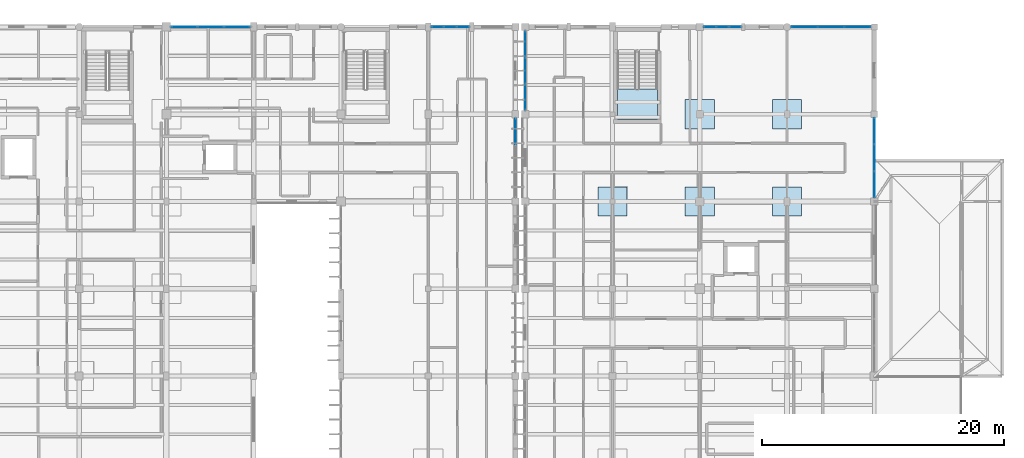
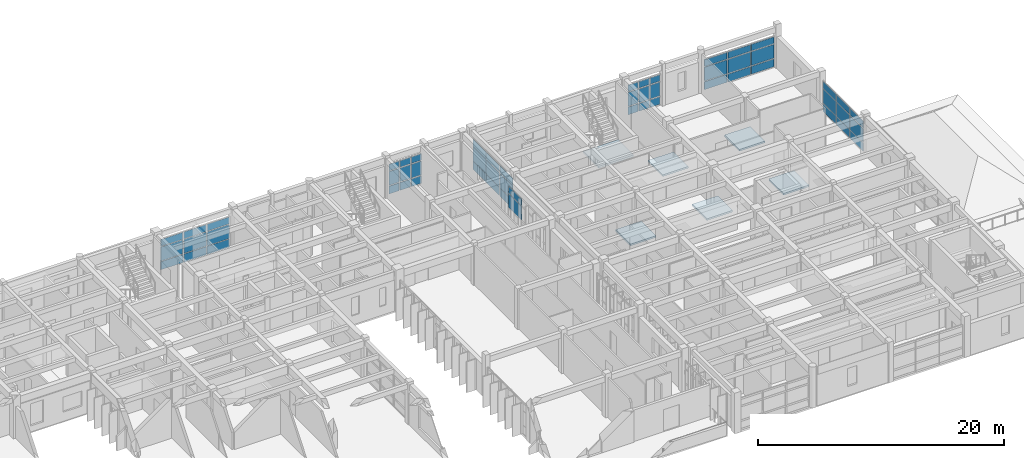
# One storey, part 30 of 55: 56 plates, 6 slabs, 8 elements without a shape of their own.
"""IFC4 building model written with IfcOpenShell, lengths in metres."""

from ifc_helpers import new_model, si_unit, direction, frame, origin, origin_2d, place, context, subcontext, project, spatial, polyline, rectangle, outline, extrude, material, layer, layer_set, type_object, element, aggregate, save


model = new_model("IFC4")

# Units and contexts
model_context = context("Model", 3, precision=1e-05, world=origin(), true_north=direction((0.0, 1.0)))
body_context = subcontext(model_context, "Body", "Model", "MODEL_VIEW")
ifc_project = project(units=[si_unit("LENGTHUNIT", "METRE"), si_unit("AREAUNIT", "SQUARE_METRE"), si_unit("VOLUMEUNIT", "CUBIC_METRE"), si_unit("PLANEANGLEUNIT", "RADIAN"), si_unit("MASSUNIT", "GRAM", prefix="KILO")], contexts=[model_context])

# Site, building, storey
site_placement = place(None, origin())
site = spatial("IfcSite", under=ifc_project, at=site_placement, CompositionType="ELEMENT")
building_placement = place(site_placement, origin())
building = spatial("IfcBuilding", under=site, at=building_placement, Name="Steenspoor Specialist Clinic", CompositionType="ELEMENT")
storey_placement = place(building_placement, frame((0.0, 0.0, 13.199951171875)))
storey = spatial("IfcBuildingStorey", under=building, at=storey_placement, Name="L03", CompositionType="ELEMENT", Elevation=13.199951171875)

# Curtain wall, plates
ifc_material_1 = material(Name="Thermally broken aluminium and low-emissivity glass", Category="aluminium")
curtain_wall_type_1 = type_object("IfcCurtainWallType", Name="CW-TYP-480X355", PredefinedType="USERDEFINED", material=ifc_material_1)
curtain_wall_1_placement = place(storey_placement, origin())
curtain_wall_1 = element("IfcCurtainWall", 1, at=curtain_wall_1_placement, inside=storey, type_object=curtain_wall_type_1, Name="Unitised Curtain Wall CW-V4-L03-108", ObjectType="UNITISED GLAZING", PredefinedType="USERDEFINED")
ifc_material_2 = material(Name="Double low-emissivity insulated glass", Category="glass")
ifc_layer_1 = layer(ifc_material_2, 0.035888671875)
ifc_layer_set_1 = layer_set([ifc_layer_1], Name="Double low-emissivity insulated glass")
plate_type_1 = type_object("IfcPlateType", Name="CW-PAN-GL36", PredefinedType="CURTAIN_PANEL", material=ifc_layer_set_1)
plate_1_placement = place(storey_placement, frame((89.8701171875, 108.35009765625, 0.06005859375), z_axis=(0.0, 0.0, 1.0), x_axis=(1.0, 0.0, 0.0)))
plate_1 = element("IfcPlate", 2, at=plate_1_placement, type_object=plate_type_1, Name="CW-12 panel 1.1", PredefinedType="CURTAIN_PANEL", context=body_context, shape_type="SweptSolid", body=[
    extrude(rectangle(XDim=2.080078125, YDim=0.035888671875, at=origin_2d()), origin(), (0.0, 0.0, 1.0), 0.81005859375),
])
plate_2_placement = place(storey_placement, frame((89.8701171875, 108.35009765625, 0.93017578125), z_axis=(0.0, 0.0, 1.0), x_axis=(1.0, 0.0, 0.0)))
plate_2 = element("IfcPlate", 3, at=plate_2_placement, type_object=plate_type_1, Name="CW-12 panel 1.2", PredefinedType="CURTAIN_PANEL", context=body_context, shape_type="SweptSolid", body=[
    extrude(rectangle(XDim=2.080078125, YDim=0.035888671875, at=origin_2d()), origin(), (0.0, 0.0, 1.0), 1.389892578125),
])
plate_3_placement = place(storey_placement, frame((89.8701171875, 108.35009765625, 2.380126953125), z_axis=(0.0, 0.0, 1.0), x_axis=(1.0, 0.0, 0.0)))
plate_3 = element("IfcPlate", 4, at=plate_3_placement, type_object=plate_type_1, Name="CW-12 panel 1.3", PredefinedType="CURTAIN_PANEL", context=body_context, shape_type="SweptSolid", body=[
    extrude(rectangle(XDim=2.080078125, YDim=0.035888671875, at=origin_2d()), origin(), (0.0, 0.0, 1.0), 0.68994140625),
])
plate_4_placement = place(storey_placement, frame((92.050048828125, 108.35009765625, 0.06005859375), z_axis=(0.0, 0.0, 1.0), x_axis=(1.0, 0.0, 0.0)))
plate_4 = element("IfcPlate", 5, at=plate_4_placement, type_object=plate_type_1, Name="CW-12 panel 2.1", PredefinedType="CURTAIN_PANEL", context=body_context, shape_type="SweptSolid", body=[
    extrude(rectangle(XDim=2.1201171875, YDim=0.035888671875, at=origin_2d()), origin(), (0.0, 0.0, 1.0), 0.81005859375),
])
plate_5_placement = place(storey_placement, frame((92.050048828125, 108.35009765625, 0.93017578125), z_axis=(0.0, 0.0, 1.0), x_axis=(1.0, 0.0, 0.0)))
plate_5 = element("IfcPlate", 6, at=plate_5_placement, type_object=plate_type_1, Name="CW-12 panel 2.2", PredefinedType="CURTAIN_PANEL", context=body_context, shape_type="SweptSolid", body=[
    extrude(rectangle(XDim=2.1201171875, YDim=0.035888671875, at=origin_2d()), origin(), (0.0, 0.0, 1.0), 1.389892578125),
])
plate_6_placement = place(storey_placement, frame((92.050048828125, 108.35009765625, 2.380126953125), z_axis=(0.0, 0.0, 1.0), x_axis=(1.0, 0.0, 0.0)))
plate_6 = element("IfcPlate", 7, at=plate_6_placement, type_object=plate_type_1, Name="CW-12 panel 2.3", PredefinedType="CURTAIN_PANEL", context=body_context, shape_type="SweptSolid", body=[
    extrude(rectangle(XDim=2.1201171875, YDim=0.035888671875, at=origin_2d()), origin(), (0.0, 0.0, 1.0), 0.68994140625),
])
plate_7_placement = place(storey_placement, frame((94.22998046875, 108.35009765625, 0.06005859375), z_axis=(0.0, 0.0, 1.0), x_axis=(1.0, 0.0, 0.0)))
plate_7 = element("IfcPlate", 8, at=plate_7_placement, type_object=plate_type_1, Name="CW-12 panel 3.1", PredefinedType="CURTAIN_PANEL", context=body_context, shape_type="SweptSolid", body=[
    extrude(rectangle(XDim=2.080078125, YDim=0.035888671875, at=origin_2d()), origin(), (0.0, 0.0, 1.0), 0.81005859375),
])
plate_8_placement = place(storey_placement, frame((94.22998046875, 108.35009765625, 0.93017578125), z_axis=(0.0, 0.0, 1.0), x_axis=(1.0, 0.0, 0.0)))
plate_8 = element("IfcPlate", 9, at=plate_8_placement, type_object=plate_type_1, Name="CW-12 panel 3.2", PredefinedType="CURTAIN_PANEL", context=body_context, shape_type="SweptSolid", body=[
    extrude(rectangle(XDim=2.080078125, YDim=0.035888671875, at=origin_2d()), origin(), (0.0, 0.0, 1.0), 1.389892578125),
])
plate_9_placement = place(storey_placement, frame((94.22998046875, 108.35009765625, 2.380126953125), z_axis=(0.0, 0.0, 1.0), x_axis=(1.0, 0.0, 0.0)))
plate_9 = element("IfcPlate", 10, at=plate_9_placement, type_object=plate_type_1, Name="CW-12 panel 3.3", PredefinedType="CURTAIN_PANEL", context=body_context, shape_type="SweptSolid", body=[
    extrude(rectangle(XDim=2.080078125, YDim=0.035888671875, at=origin_2d()), origin(), (0.0, 0.0, 1.0), 0.68994140625),
])
aggregate(curtain_wall_1, [plate_1, plate_2, plate_3, plate_4, plate_5, plate_6, plate_7, plate_8, plate_9])

curtain_wall_type_2 = type_object("IfcCurtainWallType", Name="CW-L00-480X415", PredefinedType="USERDEFINED", material=ifc_material_1)
curtain_wall_2_placement = place(storey_placement, origin())
curtain_wall_2 = element("IfcCurtainWall", 11, at=curtain_wall_2_placement, inside=storey, type_object=curtain_wall_type_2, Name="Unitised Curtain Wall CW-V6-L03-198", ObjectType="UNITISED GLAZING", PredefinedType="USERDEFINED")
plate_10_placement = place(storey_placement, frame((118.0, 102.570068359375, 0.06005859375), z_axis=(0.0, 0.0, 1.0), x_axis=(0.0, 1.0, 0.0)))
plate_10 = element("IfcPlate", 12, at=plate_10_placement, type_object=plate_type_1, Name="CW-06 panel 1.1", PredefinedType="CURTAIN_PANEL", context=body_context, shape_type="SweptSolid", body=[
    extrude(rectangle(XDim=2.080078125, YDim=0.035888671875, at=origin_2d()), origin(), (0.0, 0.0, 1.0), 0.81005859375),
])
plate_11_placement = place(storey_placement, frame((118.0, 102.570068359375, 0.93017578125), z_axis=(0.0, 0.0, 1.0), x_axis=(0.0, 1.0, 0.0)))
plate_11 = element("IfcPlate", 13, at=plate_11_placement, type_object=plate_type_1, Name="CW-06 panel 1.2", PredefinedType="CURTAIN_PANEL", context=body_context, shape_type="SweptSolid", body=[
    extrude(rectangle(XDim=2.080078125, YDim=0.035888671875, at=origin_2d()), origin(), (0.0, 0.0, 1.0), 1.389892578125),
])
plate_12_placement = place(storey_placement, frame((118.0, 102.570068359375, 2.380126953125), z_axis=(0.0, 0.0, 1.0), x_axis=(0.0, 1.0, 0.0)))
plate_12 = element("IfcPlate", 14, at=plate_12_placement, type_object=plate_type_1, Name="CW-06 panel 1.3", PredefinedType="CURTAIN_PANEL", context=body_context, shape_type="SweptSolid", body=[
    extrude(rectangle(XDim=2.080078125, YDim=0.035888671875, at=origin_2d()), origin(), (0.0, 0.0, 1.0), 0.68994140625),
])
plate_13_placement = place(storey_placement, frame((118.0, 104.75, 0.06005859375), z_axis=(0.0, 0.0, 1.0), x_axis=(0.0, 1.0, 0.0)))
plate_13 = element("IfcPlate", 15, at=plate_13_placement, type_object=plate_type_1, Name="CW-06 panel 2.1", PredefinedType="CURTAIN_PANEL", context=body_context, shape_type="SweptSolid", body=[
    extrude(rectangle(XDim=2.1201171875, YDim=0.035888671875, at=origin_2d()), origin(), (0.0, 0.0, 1.0), 0.81005859375),
])
plate_14_placement = place(storey_placement, frame((118.0, 104.75, 0.93017578125), z_axis=(0.0, 0.0, 1.0), x_axis=(0.0, 1.0, 0.0)))
plate_14 = element("IfcPlate", 16, at=plate_14_placement, type_object=plate_type_1, Name="CW-06 panel 2.2", PredefinedType="CURTAIN_PANEL", context=body_context, shape_type="SweptSolid", body=[
    extrude(rectangle(XDim=2.1201171875, YDim=0.035888671875, at=origin_2d()), origin(), (0.0, 0.0, 1.0), 1.389892578125),
])
plate_15_placement = place(storey_placement, frame((118.0, 104.75, 2.380126953125), z_axis=(0.0, 0.0, 1.0), x_axis=(0.0, 1.0, 0.0)))
plate_15 = element("IfcPlate", 17, at=plate_15_placement, type_object=plate_type_1, Name="CW-06 panel 2.3", PredefinedType="CURTAIN_PANEL", context=body_context, shape_type="SweptSolid", body=[
    extrude(rectangle(XDim=2.1201171875, YDim=0.035888671875, at=origin_2d()), origin(), (0.0, 0.0, 1.0), 0.68994140625),
])
plate_16_placement = place(storey_placement, frame((118.0, 106.929931640625, 0.06005859375), z_axis=(0.0, 0.0, 1.0), x_axis=(0.0, 1.0, 0.0)))
plate_16 = element("IfcPlate", 18, at=plate_16_placement, type_object=plate_type_1, Name="CW-06 panel 3.1", PredefinedType="CURTAIN_PANEL", context=body_context, shape_type="SweptSolid", body=[
    extrude(rectangle(XDim=2.080078125, YDim=0.035888671875, at=origin_2d()), origin(), (0.0, 0.0, 1.0), 0.81005859375),
])
plate_17_placement = place(storey_placement, frame((118.0, 106.929931640625, 0.93017578125), z_axis=(0.0, 0.0, 1.0), x_axis=(0.0, 1.0, 0.0)))
plate_17 = element("IfcPlate", 19, at=plate_17_placement, type_object=plate_type_1, Name="CW-06 panel 3.2", PredefinedType="CURTAIN_PANEL", context=body_context, shape_type="SweptSolid", body=[
    extrude(rectangle(XDim=2.080078125, YDim=0.035888671875, at=origin_2d()), origin(), (0.0, 0.0, 1.0), 1.389892578125),
])
plate_18_placement = place(storey_placement, frame((118.0, 106.929931640625, 2.380126953125), z_axis=(0.0, 0.0, 1.0), x_axis=(0.0, 1.0, 0.0)))
plate_18 = element("IfcPlate", 20, at=plate_18_placement, type_object=plate_type_1, Name="CW-06 panel 3.3", PredefinedType="CURTAIN_PANEL", context=body_context, shape_type="SweptSolid", body=[
    extrude(rectangle(XDim=2.080078125, YDim=0.035888671875, at=origin_2d()), origin(), (0.0, 0.0, 1.0), 0.68994140625),
])
aggregate(curtain_wall_2, [plate_10, plate_11, plate_12, plate_13, plate_14, plate_15, plate_16, plate_17, plate_18])

curtain_wall_type_3 = type_object("IfcCurtainWallType", Name="CW-TYP-660X355", PredefinedType="USERDEFINED", material=ifc_material_1)
curtain_wall_3_placement = place(storey_placement, origin())
curtain_wall_3 = element("IfcCurtainWall", 21, at=curtain_wall_3_placement, inside=storey, type_object=curtain_wall_type_3, Name="Unitised Curtain Wall CW-V6-L03-201", ObjectType="UNITISED GLAZING", PredefinedType="USERDEFINED")
plate_19_placement = place(storey_placement, frame((146.800048828125, 99.754638671875, 0.070068359375), z_axis=(0.0, 0.0, 1.0), x_axis=(0.0, -1.0, 0.0)))
plate_19 = element("IfcPlate", 22, at=plate_19_placement, type_object=plate_type_1, Name="CW-09 panel 1.1", PredefinedType="CURTAIN_PANEL", context=body_context, shape_type="SweptSolid", body=[
    extrude(rectangle(XDim=2.11083984375, YDim=0.035888671875, at=origin_2d()), origin(), (0.0, 0.0, 1.0), 0.794921875),
])
plate_20_placement = place(storey_placement, frame((146.800048828125, 99.754638671875, 0.93505859375), z_axis=(0.0, 0.0, 1.0), x_axis=(0.0, -1.0, 0.0)))
plate_20 = element("IfcPlate", 23, at=plate_20_placement, type_object=plate_type_1, Name="CW-09 panel 1.2", PredefinedType="CURTAIN_PANEL", context=body_context, shape_type="SweptSolid", body=[
    extrude(rectangle(XDim=2.11083984375, YDim=0.035888671875, at=origin_2d()), origin(), (0.0, 0.0, 1.0), 1.3798828125),
])
plate_21_placement = place(storey_placement, frame((146.800048828125, 99.754638671875, 2.38525390625), z_axis=(0.0, 0.0, 1.0), x_axis=(0.0, -1.0, 0.0)))
plate_21 = element("IfcPlate", 24, at=plate_21_placement, type_object=plate_type_1, Name="CW-09 panel 1.3", PredefinedType="CURTAIN_PANEL", context=body_context, shape_type="SweptSolid", body=[
    extrude(rectangle(XDim=2.11083984375, YDim=0.035888671875, at=origin_2d()), origin(), (0.0, 0.0, 1.0), 0.675048828125),
])
plate_22_placement = place(storey_placement, frame((146.800048828125, 97.5625, 0.070068359375), z_axis=(0.0, 0.0, 1.0), x_axis=(0.0, -1.0, 0.0)))
plate_22 = element("IfcPlate", 25, at=plate_22_placement, type_object=plate_type_1, Name="CW-09 panel 2.1", PredefinedType="CURTAIN_PANEL", context=body_context, shape_type="SweptSolid", body=[
    extrude(rectangle(XDim=2.143310546875, YDim=0.035888671875, at=origin_2d()), origin(), (0.0, 0.0, 1.0), 0.794921875),
])
plate_23_placement = place(storey_placement, frame((146.800048828125, 97.5625, 0.93505859375), z_axis=(0.0, 0.0, 1.0), x_axis=(0.0, -1.0, 0.0)))
plate_23 = element("IfcPlate", 26, at=plate_23_placement, type_object=plate_type_1, Name="CW-09 panel 2.2", PredefinedType="CURTAIN_PANEL", context=body_context, shape_type="SweptSolid", body=[
    extrude(rectangle(XDim=2.143310546875, YDim=0.035888671875, at=origin_2d()), origin(), (0.0, 0.0, 1.0), 1.3798828125),
])
plate_24_placement = place(storey_placement, frame((146.800048828125, 97.5625, 2.38525390625), z_axis=(0.0, 0.0, 1.0), x_axis=(0.0, -1.0, 0.0)))
plate_24 = element("IfcPlate", 27, at=plate_24_placement, type_object=plate_type_1, Name="CW-09 panel 2.3", PredefinedType="CURTAIN_PANEL", context=body_context, shape_type="SweptSolid", body=[
    extrude(rectangle(XDim=2.143310546875, YDim=0.035888671875, at=origin_2d()), origin(), (0.0, 0.0, 1.0), 0.675048828125),
])
plate_25_placement = place(storey_placement, frame((146.800048828125, 95.370361328125, 0.070068359375), z_axis=(0.0, 0.0, 1.0), x_axis=(0.0, -1.0, 0.0)))
plate_25 = element("IfcPlate", 28, at=plate_25_placement, type_object=plate_type_1, Name="CW-09 panel 3.1", PredefinedType="CURTAIN_PANEL", context=body_context, shape_type="SweptSolid", body=[
    extrude(rectangle(XDim=2.11083984375, YDim=0.035888671875, at=origin_2d()), origin(), (0.0, 0.0, 1.0), 0.794921875),
])
plate_26_placement = place(storey_placement, frame((146.800048828125, 95.370361328125, 0.93505859375), z_axis=(0.0, 0.0, 1.0), x_axis=(0.0, -1.0, 0.0)))
plate_26 = element("IfcPlate", 29, at=plate_26_placement, type_object=plate_type_1, Name="CW-09 panel 3.2", PredefinedType="CURTAIN_PANEL", context=body_context, shape_type="SweptSolid", body=[
    extrude(rectangle(XDim=2.11083984375, YDim=0.035888671875, at=origin_2d()), origin(), (0.0, 0.0, 1.0), 1.3798828125),
])
plate_27_placement = place(storey_placement, frame((146.800048828125, 95.370361328125, 2.38525390625), z_axis=(0.0, 0.0, 1.0), x_axis=(0.0, -1.0, 0.0)))
plate_27 = element("IfcPlate", 30, at=plate_27_placement, type_object=plate_type_1, Name="CW-09 panel 3.3", PredefinedType="CURTAIN_PANEL", context=body_context, shape_type="SweptSolid", body=[
    extrude(rectangle(XDim=2.11083984375, YDim=0.035888671875, at=origin_2d()), origin(), (0.0, 0.0, 1.0), 0.675048828125),
])
aggregate(curtain_wall_3, [plate_19, plate_20, plate_21, plate_22, plate_23, plate_24, plate_25, plate_26, plate_27])

curtain_wall_type_4 = type_object("IfcCurtainWallType", Name="CW-TYP-420X355", PredefinedType="USERDEFINED", material=ifc_material_1)
curtain_wall_4_placement = place(storey_placement, origin())
curtain_wall_4 = element("IfcCurtainWall", 31, at=curtain_wall_4_placement, inside=storey, type_object=curtain_wall_type_4, Name="Unitised Curtain Wall CW-V4-L03-109", ObjectType="UNITISED GLAZING", PredefinedType="USERDEFINED")
ifc_material_3 = material(Name="Triple acoustic laminated low-emissivity glass", Category="glass")
ifc_layer_2 = layer(ifc_material_3, 0.048095703125)
ifc_layer_set_2 = layer_set([ifc_layer_2], Name="Triple acoustic laminated low-emissivity glass")
plate_type_2 = type_object("IfcPlateType", Name="CW-PAN-GL48", PredefinedType="CURTAIN_PANEL", material=ifc_layer_set_2)
plate_28_placement = place(storey_placement, frame((110.77587890625, 108.35009765625, 0.09033203125), z_axis=(0.0, 0.0, 1.0), x_axis=(1.0, 0.0, 0.0)))
plate_28 = element("IfcPlate", 32, at=plate_28_placement, type_object=plate_type_2, Name="CW-13 panel 1.1", PredefinedType="CURTAIN_PANEL", context=body_context, shape_type="SweptSolid", body=[
    extrude(rectangle(XDim=0.941650390625, YDim=0.048095703125, at=origin_2d()), origin(), (0.0, 0.0, 1.0), 0.764892578125),
])
plate_29_placement = place(storey_placement, frame((110.77587890625, 108.35009765625, 0.94482421875), z_axis=(0.0, 0.0, 1.0), x_axis=(1.0, 0.0, 0.0)))
plate_29 = element("IfcPlate", 33, at=plate_29_placement, type_object=plate_type_2, Name="CW-13 panel 1.2", PredefinedType="CURTAIN_PANEL", context=body_context, shape_type="SweptSolid", body=[
    extrude(rectangle(XDim=0.941650390625, YDim=0.048095703125, at=origin_2d()), origin(), (0.0, 0.0, 1.0), 1.360107421875),
])
plate_30_placement = place(storey_placement, frame((110.77587890625, 108.35009765625, 2.39501953125), z_axis=(0.0, 0.0, 1.0), x_axis=(1.0, 0.0, 0.0)))
plate_30 = element("IfcPlate", 34, at=plate_30_placement, type_object=plate_type_2, Name="CW-13 panel 1.3", PredefinedType="CURTAIN_PANEL", context=body_context, shape_type="SweptSolid", body=[
    extrude(rectangle(XDim=0.941650390625, YDim=0.048095703125, at=origin_2d()), origin(), (0.0, 0.0, 1.0), 0.64501953125),
])
plate_31_placement = place(storey_placement, frame((111.8173828125, 108.35009765625, 0.09033203125), z_axis=(0.0, 0.0, 1.0), x_axis=(1.0, 0.0, 0.0)))
plate_31 = element("IfcPlate", 35, at=plate_31_placement, type_object=plate_type_2, Name="CW-13 panel 2.1", PredefinedType="CURTAIN_PANEL", context=body_context, shape_type="SweptSolid", body=[
    extrude(rectangle(XDim=0.981689453125, YDim=0.048095703125, at=origin_2d()), origin(), (0.0, 0.0, 1.0), 0.764892578125),
])
plate_32_placement = place(storey_placement, frame((111.8173828125, 108.35009765625, 0.94482421875), z_axis=(0.0, 0.0, 1.0), x_axis=(1.0, 0.0, 0.0)))
plate_32 = element("IfcPlate", 36, at=plate_32_placement, type_object=plate_type_2, Name="CW-13 panel 2.2", PredefinedType="CURTAIN_PANEL", context=body_context, shape_type="SweptSolid", body=[
    extrude(rectangle(XDim=0.981689453125, YDim=0.048095703125, at=origin_2d()), origin(), (0.0, 0.0, 1.0), 1.360107421875),
])
plate_33_placement = place(storey_placement, frame((111.8173828125, 108.35009765625, 2.39501953125), z_axis=(0.0, 0.0, 1.0), x_axis=(1.0, 0.0, 0.0)))
plate_33 = element("IfcPlate", 37, at=plate_33_placement, type_object=plate_type_2, Name="CW-13 panel 2.3", PredefinedType="CURTAIN_PANEL", context=body_context, shape_type="SweptSolid", body=[
    extrude(rectangle(XDim=0.981689453125, YDim=0.048095703125, at=origin_2d()), origin(), (0.0, 0.0, 1.0), 0.64501953125),
])
plate_34_placement = place(storey_placement, frame((112.859130859375, 108.35009765625, 0.09033203125), z_axis=(0.0, 0.0, 1.0), x_axis=(1.0, 0.0, 0.0)))
plate_34 = element("IfcPlate", 38, at=plate_34_placement, type_object=plate_type_2, Name="CW-13 panel 3.1", PredefinedType="CURTAIN_PANEL", context=body_context, shape_type="SweptSolid", body=[
    extrude(rectangle(XDim=0.941650390625, YDim=0.048095703125, at=origin_2d()), origin(), (0.0, 0.0, 1.0), 0.764892578125),
])
plate_35_placement = place(storey_placement, frame((112.859130859375, 108.35009765625, 0.94482421875), z_axis=(0.0, 0.0, 1.0), x_axis=(1.0, 0.0, 0.0)))
plate_35 = element("IfcPlate", 39, at=plate_35_placement, type_object=plate_type_2, Name="CW-13 panel 3.2", PredefinedType="CURTAIN_PANEL", context=body_context, shape_type="SweptSolid", body=[
    extrude(rectangle(XDim=0.941650390625, YDim=0.048095703125, at=origin_2d()), origin(), (0.0, 0.0, 1.0), 1.360107421875),
])
plate_36_placement = place(storey_placement, frame((112.859130859375, 108.35009765625, 2.39501953125), z_axis=(0.0, 0.0, 1.0), x_axis=(1.0, 0.0, 0.0)))
plate_36 = element("IfcPlate", 40, at=plate_36_placement, type_object=plate_type_2, Name="CW-13 panel 3.3", PredefinedType="CURTAIN_PANEL", context=body_context, shape_type="SweptSolid", body=[
    extrude(rectangle(XDim=0.941650390625, YDim=0.048095703125, at=origin_2d()), origin(), (0.0, 0.0, 1.0), 0.64501953125),
])
aggregate(curtain_wall_4, [plate_28, plate_29, plate_30, plate_31, plate_32, plate_33, plate_34, plate_35, plate_36])

curtain_wall_type_5 = type_object("IfcCurtainWallType", Name="CW-L00-360X415", PredefinedType="USERDEFINED", material=ifc_material_1)
curtain_wall_5_placement = place(storey_placement, origin())
curtain_wall_5 = element("IfcCurtainWall", 41, at=curtain_wall_5_placement, inside=storey, type_object=curtain_wall_type_5, Name="Unitised Curtain Wall CW-V6-L03-199", ObjectType="UNITISED GLAZING", PredefinedType="USERDEFINED")
plate_37_placement = place(storey_placement, frame((133.24658203125, 108.35009765625, 0.09033203125), z_axis=(0.0, 0.0, 1.0), x_axis=(1.0, 0.0, 0.0)))
plate_37 = element("IfcPlate", 42, at=plate_37_placement, type_object=plate_type_2, Name="CW-07 panel 1.1", PredefinedType="CURTAIN_PANEL", context=body_context, shape_type="SweptSolid", body=[
    extrude(rectangle(XDim=0.933349609375, YDim=0.048095703125, at=origin_2d()), origin(), (0.0, 0.0, 1.0), 0.764892578125),
])
plate_38_placement = place(storey_placement, frame((133.24658203125, 108.35009765625, 0.94482421875), z_axis=(0.0, 0.0, 1.0), x_axis=(1.0, 0.0, 0.0)))
plate_38 = element("IfcPlate", 43, at=plate_38_placement, type_object=plate_type_2, Name="CW-07 panel 1.2", PredefinedType="CURTAIN_PANEL", context=body_context, shape_type="SweptSolid", body=[
    extrude(rectangle(XDim=0.933349609375, YDim=0.048095703125, at=origin_2d()), origin(), (0.0, 0.0, 1.0), 1.360107421875),
])
plate_39_placement = place(storey_placement, frame((133.24658203125, 108.35009765625, 2.39501953125), z_axis=(0.0, 0.0, 1.0), x_axis=(1.0, 0.0, 0.0)))
plate_39 = element("IfcPlate", 44, at=plate_39_placement, type_object=plate_type_2, Name="CW-07 panel 1.3", PredefinedType="CURTAIN_PANEL", context=body_context, shape_type="SweptSolid", body=[
    extrude(rectangle(XDim=0.933349609375, YDim=0.048095703125, at=origin_2d()), origin(), (0.0, 0.0, 1.0), 0.64501953125),
])
plate_40_placement = place(storey_placement, frame((134.280029296875, 108.35009765625, 0.09033203125), z_axis=(0.0, 0.0, 1.0), x_axis=(1.0, 0.0, 0.0)))
plate_40 = element("IfcPlate", 45, at=plate_40_placement, type_object=plate_type_2, Name="CW-07 panel 2.1", PredefinedType="CURTAIN_PANEL", context=body_context, shape_type="SweptSolid", body=[
    extrude(rectangle(XDim=0.973388671875, YDim=0.048095703125, at=origin_2d()), origin(), (0.0, 0.0, 1.0), 0.764892578125),
])
plate_41_placement = place(storey_placement, frame((134.280029296875, 108.35009765625, 0.94482421875), z_axis=(0.0, 0.0, 1.0), x_axis=(1.0, 0.0, 0.0)))
plate_41 = element("IfcPlate", 46, at=plate_41_placement, type_object=plate_type_2, Name="CW-07 panel 2.2", PredefinedType="CURTAIN_PANEL", context=body_context, shape_type="SweptSolid", body=[
    extrude(rectangle(XDim=0.973388671875, YDim=0.048095703125, at=origin_2d()), origin(), (0.0, 0.0, 1.0), 1.360107421875),
])
plate_42_placement = place(storey_placement, frame((134.280029296875, 108.35009765625, 2.39501953125), z_axis=(0.0, 0.0, 1.0), x_axis=(1.0, 0.0, 0.0)))
plate_42 = element("IfcPlate", 47, at=plate_42_placement, type_object=plate_type_2, Name="CW-07 panel 2.3", PredefinedType="CURTAIN_PANEL", context=body_context, shape_type="SweptSolid", body=[
    extrude(rectangle(XDim=0.973388671875, YDim=0.048095703125, at=origin_2d()), origin(), (0.0, 0.0, 1.0), 0.64501953125),
])
plate_43_placement = place(storey_placement, frame((135.313232421875, 108.35009765625, 0.09033203125), z_axis=(0.0, 0.0, 1.0), x_axis=(1.0, 0.0, 0.0)))
plate_43 = element("IfcPlate", 48, at=plate_43_placement, type_object=plate_type_2, Name="CW-07 panel 3.1", PredefinedType="CURTAIN_PANEL", context=body_context, shape_type="SweptSolid", body=[
    extrude(rectangle(XDim=0.933349609375, YDim=0.048095703125, at=origin_2d()), origin(), (0.0, 0.0, 1.0), 0.764892578125),
])
plate_44_placement = place(storey_placement, frame((135.313232421875, 108.35009765625, 0.94482421875), z_axis=(0.0, 0.0, 1.0), x_axis=(1.0, 0.0, 0.0)))
plate_44 = element("IfcPlate", 49, at=plate_44_placement, type_object=plate_type_2, Name="CW-07 panel 3.2", PredefinedType="CURTAIN_PANEL", context=body_context, shape_type="SweptSolid", body=[
    extrude(rectangle(XDim=0.933349609375, YDim=0.048095703125, at=origin_2d()), origin(), (0.0, 0.0, 1.0), 1.360107421875),
])
plate_45_placement = place(storey_placement, frame((135.313232421875, 108.35009765625, 2.39501953125), z_axis=(0.0, 0.0, 1.0), x_axis=(1.0, 0.0, 0.0)))
plate_45 = element("IfcPlate", 50, at=plate_45_placement, type_object=plate_type_2, Name="CW-07 panel 3.3", PredefinedType="CURTAIN_PANEL", context=body_context, shape_type="SweptSolid", body=[
    extrude(rectangle(XDim=0.933349609375, YDim=0.048095703125, at=origin_2d()), origin(), (0.0, 0.0, 1.0), 0.64501953125),
])
aggregate(curtain_wall_5, [plate_37, plate_38, plate_39, plate_40, plate_41, plate_42, plate_43, plate_44, plate_45])

curtain_wall_type_6 = type_object("IfcCurtainWallType", Name="CW-TYP-360X355", PredefinedType="USERDEFINED", material=ifc_material_1)
curtain_wall_6_placement = place(storey_placement, origin())
curtain_wall_6 = element("IfcCurtainWall", 51, at=curtain_wall_6_placement, inside=storey, type_object=curtain_wall_type_6, Name="Unitised Curtain Wall CW-V4-L03-110", ObjectType="UNITISED GLAZING", PredefinedType="USERDEFINED")
ifc_material_4 = material(Name="Insulated glazed ceramic spandrel panel", Category="glass")
ifc_layer_3 = layer(ifc_material_4, 0.074951171875)
ifc_layer_set_3 = layer_set([ifc_layer_3], Name="Insulated glazed ceramic spandrel panel")
plate_type_3 = type_object("IfcPlateType", Name="CW-PAN-SP75", PredefinedType="CURTAIN_PANEL", material=ifc_layer_set_3)
plate_46_placement = place(storey_placement, frame((117.199951171875, 99.732421875, 0.93994140625), z_axis=(0.0, 0.0, 1.0), x_axis=(0.0, -1.0, 0.0)))
plate_46 = element("IfcPlate", 52, at=plate_46_placement, type_object=plate_type_3, Name="CW-14 panel 1.2", PredefinedType="CURTAIN_PANEL", context=body_context, shape_type="SweptSolid", body=[
    extrude(rectangle(XDim=2.094970703125, YDim=0.074951171875, at=origin_2d()), origin(), (0.0, 0.0, 1.0), 1.3701171875),
])
plate_47_placement = place(storey_placement, frame((117.199951171875, 99.732421875, 2.39013671875), z_axis=(0.0, 0.0, 1.0), x_axis=(0.0, -1.0, 0.0)))
plate_47 = element("IfcPlate", 53, at=plate_47_placement, type_object=plate_type_3, Name="CW-14 panel 1.3", PredefinedType="CURTAIN_PANEL", context=body_context, shape_type="SweptSolid", body=[
    extrude(rectangle(XDim=2.094970703125, YDim=0.074951171875, at=origin_2d()), origin(), (0.0, 0.0, 1.0), 0.659912109375),
])
aggregate(curtain_wall_6, [plate_46, plate_47])

curtain_wall_type_7 = type_object("IfcCurtainWallType", Name="CW-L00-240X415", PredefinedType="USERDEFINED", material=ifc_material_1)
curtain_wall_7_placement = place(storey_placement, origin())
curtain_wall_7 = element("IfcCurtainWall", 54, at=curtain_wall_7_placement, inside=storey, type_object=curtain_wall_type_7, Name="Unitised Curtain Wall CW-V6-L03-200", ObjectType="UNITISED GLAZING", PredefinedType="USERDEFINED")
plate_48_placement = place(storey_placement, frame((141.02587890625, 108.35009765625, 0.080078125), z_axis=(0.0, 0.0, 1.0), x_axis=(1.0, 0.0, 0.0)))
plate_48 = element("IfcPlate", 55, at=plate_48_placement, type_object=plate_type_3, Name="CW-08 panel 1.1", PredefinedType="CURTAIN_PANEL", context=body_context, shape_type="SweptSolid", body=[
    extrude(rectangle(XDim=2.111572265625, YDim=0.074951171875, at=origin_2d()), origin(), (0.0, 0.0, 1.0), 0.780029296875),
])
plate_49_placement = place(storey_placement, frame((141.02587890625, 108.35009765625, 0.93994140625), z_axis=(0.0, 0.0, 1.0), x_axis=(1.0, 0.0, 0.0)))
plate_49 = element("IfcPlate", 56, at=plate_49_placement, type_object=plate_type_3, Name="CW-08 panel 1.2", PredefinedType="CURTAIN_PANEL", context=body_context, shape_type="SweptSolid", body=[
    extrude(rectangle(XDim=2.111572265625, YDim=0.074951171875, at=origin_2d()), origin(), (0.0, 0.0, 1.0), 1.3701171875),
])
plate_50_placement = place(storey_placement, frame((141.02587890625, 108.35009765625, 2.39013671875), z_axis=(0.0, 0.0, 1.0), x_axis=(1.0, 0.0, 0.0)))
plate_50 = element("IfcPlate", 57, at=plate_50_placement, type_object=plate_type_3, Name="CW-08 panel 1.3", PredefinedType="CURTAIN_PANEL", context=body_context, shape_type="SweptSolid", body=[
    extrude(rectangle(XDim=2.111572265625, YDim=0.074951171875, at=origin_2d()), origin(), (0.0, 0.0, 1.0), 0.659912109375),
])
plate_51_placement = place(storey_placement, frame((143.22509765625, 108.35009765625, 0.080078125), z_axis=(0.0, 0.0, 1.0), x_axis=(1.0, 0.0, 0.0)))
plate_51 = element("IfcPlate", 58, at=plate_51_placement, type_object=plate_type_3, Name="CW-08 panel 2.1", PredefinedType="CURTAIN_PANEL", context=body_context, shape_type="SweptSolid", body=[
    extrude(rectangle(XDim=2.146728515625, YDim=0.074951171875, at=origin_2d()), origin(), (0.0, 0.0, 1.0), 0.780029296875),
])
plate_52_placement = place(storey_placement, frame((143.22509765625, 108.35009765625, 0.93994140625), z_axis=(0.0, 0.0, 1.0), x_axis=(1.0, 0.0, 0.0)))
plate_52 = element("IfcPlate", 59, at=plate_52_placement, type_object=plate_type_3, Name="CW-08 panel 2.2", PredefinedType="CURTAIN_PANEL", context=body_context, shape_type="SweptSolid", body=[
    extrude(rectangle(XDim=2.146728515625, YDim=0.074951171875, at=origin_2d()), origin(), (0.0, 0.0, 1.0), 1.3701171875),
])
plate_53_placement = place(storey_placement, frame((143.22509765625, 108.35009765625, 2.39013671875), z_axis=(0.0, 0.0, 1.0), x_axis=(1.0, 0.0, 0.0)))
plate_53 = element("IfcPlate", 60, at=plate_53_placement, type_object=plate_type_3, Name="CW-08 panel 2.3", PredefinedType="CURTAIN_PANEL", context=body_context, shape_type="SweptSolid", body=[
    extrude(rectangle(XDim=2.146728515625, YDim=0.074951171875, at=origin_2d()), origin(), (0.0, 0.0, 1.0), 0.659912109375),
])
plate_54_placement = place(storey_placement, frame((145.424072265625, 108.35009765625, 0.080078125), z_axis=(0.0, 0.0, 1.0), x_axis=(1.0, 0.0, 0.0)))
plate_54 = element("IfcPlate", 61, at=plate_54_placement, type_object=plate_type_3, Name="CW-08 panel 3.1", PredefinedType="CURTAIN_PANEL", context=body_context, shape_type="SweptSolid", body=[
    extrude(rectangle(XDim=2.111572265625, YDim=0.074951171875, at=origin_2d()), origin(), (0.0, 0.0, 1.0), 0.780029296875),
])
plate_55_placement = place(storey_placement, frame((145.424072265625, 108.35009765625, 0.93994140625), z_axis=(0.0, 0.0, 1.0), x_axis=(1.0, 0.0, 0.0)))
plate_55 = element("IfcPlate", 62, at=plate_55_placement, type_object=plate_type_3, Name="CW-08 panel 3.2", PredefinedType="CURTAIN_PANEL", context=body_context, shape_type="SweptSolid", body=[
    extrude(rectangle(XDim=2.111572265625, YDim=0.074951171875, at=origin_2d()), origin(), (0.0, 0.0, 1.0), 1.3701171875),
])
plate_56_placement = place(storey_placement, frame((145.424072265625, 108.35009765625, 2.39013671875), z_axis=(0.0, 0.0, 1.0), x_axis=(1.0, 0.0, 0.0)))
plate_56 = element("IfcPlate", 63, at=plate_56_placement, type_object=plate_type_3, Name="CW-08 panel 3.3", PredefinedType="CURTAIN_PANEL", context=body_context, shape_type="SweptSolid", body=[
    extrude(rectangle(XDim=2.111572265625, YDim=0.074951171875, at=origin_2d()), origin(), (0.0, 0.0, 1.0), 0.659912109375),
])
aggregate(curtain_wall_7, [plate_48, plate_49, plate_50, plate_51, plate_52, plate_53, plate_54, plate_55, plate_56])

# Slabs
ifc_material_5 = material(Name="Concrete C35/45", Category="concrete")
ifc_layer_4 = layer(ifc_material_5, 0.169921875)
ifc_layer_set_4 = layer_set([ifc_layer_4], Name="Concrete C35/45")
slab_type_1 = type_object("IfcSlabType", Name="SL-DROP-170", PredefinedType="USERDEFINED", material=ifc_layer_set_4)
slab_1_placement = place(storey_placement, frame((0.0, 0.0, -0.419921875)))
element("IfcSlab", 64, at=slab_1_placement, inside=storey, type_object=slab_type_1, Name="Column Drop Panel DROP-V6-L03-163", ObjectType="DROP PANEL", PredefinedType="USERDEFINED", context=body_context, shape_type="SweptSolid", body=[
    extrude(outline(polyline([(126.39990234375, 92.75), (126.39990234375, 95.14990234375), (124.0, 95.14990234375), (124.0, 92.75), (126.39990234375, 92.75)])), origin(), (0.0, 0.0, 1.0), 0.169921875),
])
slab_2_placement = place(storey_placement, frame((0.0, 0.0, -0.419921875)))
element("IfcSlab", 65, at=slab_2_placement, inside=storey, type_object=slab_type_1, Name="Column Drop Panel DROP-V6-L03-167", ObjectType="DROP PANEL", PredefinedType="USERDEFINED", context=body_context, shape_type="SweptSolid", body=[
    extrude(outline(polyline([(133.60009765625, 92.75), (133.60009765625, 95.14990234375), (131.199951171875, 95.14990234375), (131.199951171875, 92.75), (133.60009765625, 92.75)])), origin(), (0.0, 0.0, 1.0), 0.169921875),
])
slab_3_placement = place(storey_placement, frame((0.0, 0.0, -0.419921875)))
element("IfcSlab", 66, at=slab_3_placement, inside=storey, type_object=slab_type_1, Name="Column Drop Panel DROP-V6-L03-168", ObjectType="DROP PANEL", PredefinedType="USERDEFINED", context=body_context, shape_type="SweptSolid", body=[
    extrude(outline(polyline([(133.60009765625, 99.949951171875), (133.60009765625, 102.35009765625), (131.199951171875, 102.35009765625), (131.199951171875, 99.949951171875), (133.60009765625, 99.949951171875)])), origin(), (0.0, 0.0, 1.0), 0.169921875),
])
slab_4_placement = place(storey_placement, frame((0.0, 0.0, -0.419921875)))
element("IfcSlab", 67, at=slab_4_placement, inside=storey, type_object=slab_type_1, Name="Column Drop Panel DROP-V6-L03-172", ObjectType="DROP PANEL", PredefinedType="USERDEFINED", context=body_context, shape_type="SweptSolid", body=[
    extrude(outline(polyline([(140.800048828125, 92.75), (140.800048828125, 95.14990234375), (138.39990234375, 95.14990234375), (138.39990234375, 92.75), (140.800048828125, 92.75)])), origin(), (0.0, 0.0, 1.0), 0.169921875),
])
slab_5_placement = place(storey_placement, frame((0.0, 0.0, -0.419921875)))
element("IfcSlab", 68, at=slab_5_placement, inside=storey, type_object=slab_type_1, Name="Column Drop Panel DROP-V6-L03-173", ObjectType="DROP PANEL", PredefinedType="USERDEFINED", context=body_context, shape_type="SweptSolid", body=[
    extrude(outline(polyline([(140.800048828125, 99.949951171875), (140.800048828125, 102.35009765625), (138.39990234375, 102.35009765625), (138.39990234375, 99.949951171875), (140.800048828125, 99.949951171875)])), origin(), (0.0, 0.0, 1.0), 0.169921875),
])

# Stair, slab
stair_type = type_object("IfcStairType", Name="ST-CORE-TYP", PredefinedType="HALF_TURN_STAIR", material=ifc_material_5)
stair_placement = place(storey_placement, origin())
stair = element("IfcStair", 69, at=stair_placement, inside=storey, type_object=stair_type, Name="L03 Enclosed Exit Stair ST-V6A", PredefinedType="HALF_TURN_STAIR")
ifc_layer_5 = layer(ifc_material_5, 0.199951171875)
ifc_layer_set_5 = layer_set([ifc_layer_5], Name="Concrete C35/45")
slab_type_2 = type_object("IfcSlabType", Name="SL-LAND-200", PredefinedType="LANDING", material=ifc_layer_set_5)
slab_6_placement = place(storey_placement, frame((0.0, 0.0, 1.900146484375)))
slab_6 = element("IfcSlab", 70, at=slab_6_placement, type_object=slab_type_2, Name="ST-V6A landing 1", PredefinedType="LANDING", context=body_context, shape_type="SweptSolid", body=[
    extrude(outline(polyline([(125.60009765625, 103.215087890625), (125.60009765625, 100.699951171875), (128.89990234375, 100.699951171875), (128.89990234375, 103.215087890625), (125.60009765625, 103.215087890625)])), origin(), (0.0, 0.0, 1.0), 0.199951171875),
])
aggregate(stair, [slab_6])

save(model, "model.ifc")
